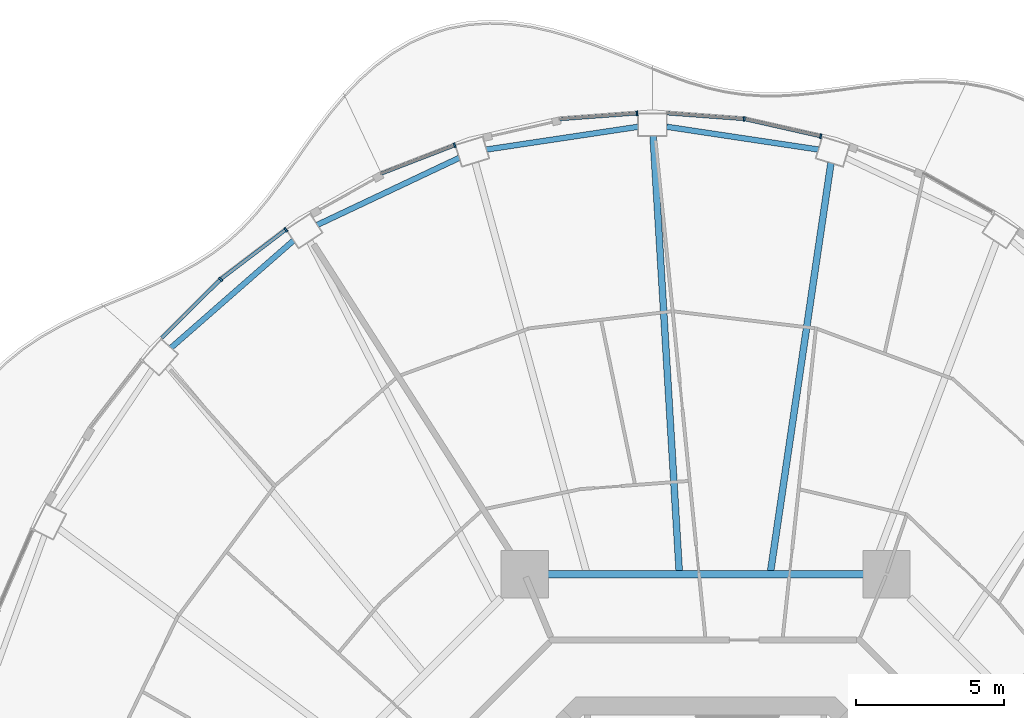
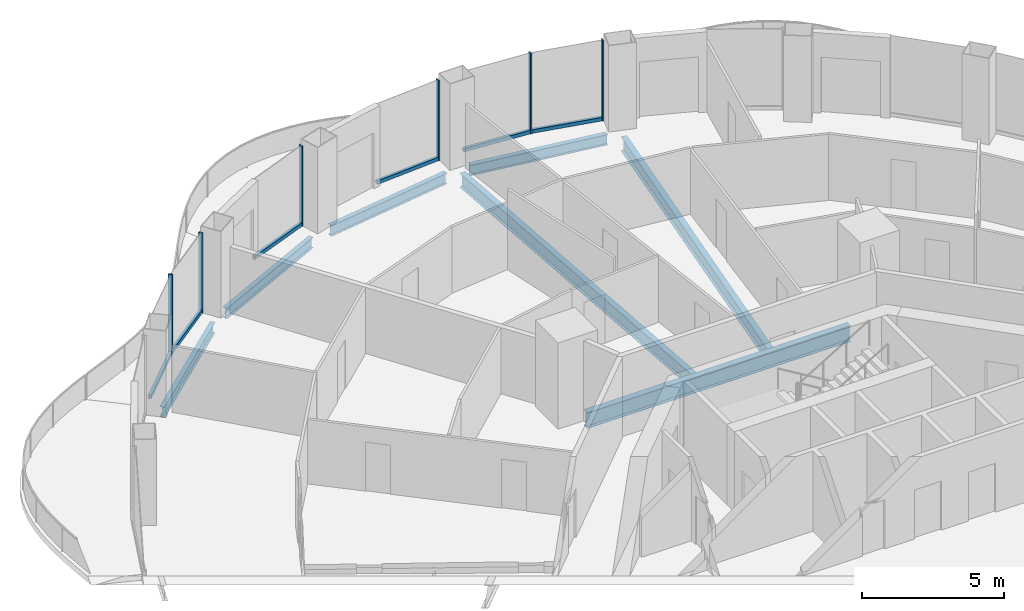
# One storey, part 6 of 18: 12 members, 7 beams, 6 elements without a shape of their own.
"""IFC4 building model written with IfcOpenShell, lengths in metres."""

from ifc_helpers import new_model, si_unit, direction, frame, origin, origin_2d, place, context, subcontext, project, spatial, rectangle, i_section, extrude, material, layer, layer_set, material_profile, profile_set, type_object, element, aggregate, save


model = new_model("IFC4")

# Units and contexts
model_context = context("Model", 3, precision=1e-05, world=origin(), true_north=direction((0.0, 1.0)))
body_context = subcontext(model_context, "Body", "Model", "MODEL_VIEW")
ifc_project = project(units=[si_unit("LENGTHUNIT", "METRE"), si_unit("AREAUNIT", "SQUARE_METRE"), si_unit("VOLUMEUNIT", "CUBIC_METRE"), si_unit("PLANEANGLEUNIT", "RADIAN"), si_unit("MASSUNIT", "GRAM", prefix="KILO")], contexts=[model_context])

# Site, building, storey
site_placement = place(None, origin())
site = spatial("IfcSite", under=ifc_project, at=site_placement, CompositionType="ELEMENT")
building_placement = place(site_placement, origin())
building = spatial("IfcBuilding", under=site, at=building_placement, Name="Nagisa Residences", CompositionType="ELEMENT")
storey_placement = place(building_placement, frame((0.0, 0.0, 227.0)))
storey = spatial("IfcBuildingStorey", under=building, at=storey_placement, Name="L57", CompositionType="ELEMENT", Elevation=227.0)

# Curtain wall, member
ifc_material_1 = material(Name="Concrete-coloured aluminium curtain wall system", Category="concrete")
ifc_layer = layer(ifc_material_1, 0.159912109375)
ifc_layer_set = layer_set([ifc_layer], Name="CW1 CURTAIN WALL")
curtain_wall_type = type_object("IfcCurtainWallType", Name="CW1 CURTAIN WALL", PredefinedType="NOTDEFINED", material=ifc_layer_set)
curtain_wall_1_placement = place(storey_placement, origin())
curtain_wall_1 = element("IfcCurtainWall", 1, at=curtain_wall_1_placement, inside=storey, type_object=curtain_wall_type, Name="cw:CW1:L57:10", PredefinedType="NOTDEFINED")
ifc_material_2 = material(Name="Concrete-coloured aluminium", Category="concrete")
ifc_material_profile_1 = material_profile(ifc_material_2, rectangle(XDim=0.159912109375, YDim=0.06005859375, at=origin_2d()), Name="CW1 MULLION 160x60")
ifc_profile_set_1 = profile_set([ifc_material_profile_1], Name="Concrete-coloured aluminium")
member_type_1 = type_object("IfcMemberType", Name="CW1 MULLION 160x60", PredefinedType="MULLION", material=ifc_profile_set_1)
member_1_placement = place(storey_placement, frame((3.895263671875, 29.61328125, 0.0), z_axis=(0.0, 0.0, 1.0), x_axis=(-0.2207639201, -0.975327274089, 0.0)))
member_1 = element("IfcMember", 2, at=member_1_placement, type_object=member_type_1, Name="CW1 mullion", PredefinedType="MULLION", context=body_context, shape_type="SweptSolid", body=[
    extrude(rectangle(XDim=0.159912109375, YDim=0.06005859375, at=origin_2d()), origin(), (0.0, 0.0, 1.0), 3.43994140625),
])

curtain_wall_2_placement = place(storey_placement, origin())
curtain_wall_2 = element("IfcCurtainWall", 3, at=curtain_wall_2_placement, inside=storey, type_object=curtain_wall_type, Name="cw:CW1:L57:11", PredefinedType="NOTDEFINED")
member_2_placement = place(storey_placement, frame((1.305908203125, 30.19580078125, 0.0), z_axis=(0.0, 0.0, 1.0), x_axis=(-0.074377355493, -0.997230168512, 0.0)))
member_2 = element("IfcMember", 4, at=member_2_placement, type_object=member_type_1, Name="CW1 mullion", PredefinedType="MULLION", context=body_context, shape_type="SweptSolid", body=[
    extrude(rectangle(XDim=0.159912109375, YDim=0.06005859375, at=origin_2d()), origin(), (0.0, 0.0, 1.0), 3.43994140625),
])

curtain_wall_3_placement = place(storey_placement, origin())
curtain_wall_3 = element("IfcCurtainWall", 5, at=curtain_wall_3_placement, inside=storey, type_object=curtain_wall_type, Name="cw:CW1:L57:12", PredefinedType="NOTDEFINED")
member_3_placement = place(storey_placement, frame((-2.322509765625, 30.388427734375, 0.0), z_axis=(0.0, 0.0, 1.0), x_axis=(0.074377355493, -0.997230168512, 0.0)))
member_3 = element("IfcMember", 6, at=member_3_placement, type_object=member_type_1, Name="CW1 mullion", PredefinedType="MULLION", context=body_context, shape_type="SweptSolid", body=[
    extrude(rectangle(XDim=0.159912109375, YDim=0.06005859375, at=origin_2d()), origin(), (0.0, 0.0, 1.0), 3.43994140625),
])

curtain_wall_4_placement = place(storey_placement, origin())
curtain_wall_4 = element("IfcCurtainWall", 7, at=curtain_wall_4_placement, inside=storey, type_object=curtain_wall_type, Name="cw:CW1:L57:14", PredefinedType="NOTDEFINED")
member_4_placement = place(storey_placement, frame((-8.495361328125, 29.308837890625, 0.0), z_axis=(0.0, 0.0, 1.0), x_axis=(0.360327770268, -0.932825759707, 0.0)))
member_4 = element("IfcMember", 8, at=member_4_placement, type_object=member_type_1, Name="CW1 mullion", PredefinedType="MULLION", context=body_context, shape_type="SweptSolid", body=[
    extrude(rectangle(XDim=0.159912109375, YDim=0.06005859375, at=origin_2d()), origin(), (0.0, 0.0, 1.0), 3.43994140625),
])

curtain_wall_5_placement = place(storey_placement, origin())
curtain_wall_5 = element("IfcCurtainWall", 9, at=curtain_wall_5_placement, inside=storey, type_object=curtain_wall_type, Name="cw:CW1:L57:16", PredefinedType="NOTDEFINED")
member_5_placement = place(storey_placement, frame((-14.20849609375, 26.45361328125, 0.0), z_axis=(0.0, 0.0, 1.0), x_axis=(0.605255421737, -0.79603132756, 0.0)))
member_5 = element("IfcMember", 10, at=member_5_placement, type_object=member_type_1, Name="CW1 mullion", PredefinedType="MULLION", context=body_context, shape_type="SweptSolid", body=[
    extrude(rectangle(XDim=0.159912109375, YDim=0.06005859375, at=origin_2d()), origin(), (0.0, 0.0, 1.0), 3.43994140625),
])

curtain_wall_6_placement = place(storey_placement, origin())
curtain_wall_6 = element("IfcCurtainWall", 11, at=curtain_wall_6_placement, inside=storey, type_object=curtain_wall_type, Name="cw:CW1:L57:17", PredefinedType="NOTDEFINED")
member_6_placement = place(storey_placement, frame((-16.417724609375, 24.769775390625, 0.0), z_axis=(0.0, 0.0, 1.0), x_axis=(0.706376885714, -0.707835924016, 0.0)))
member_6 = element("IfcMember", 12, at=member_6_placement, type_object=member_type_1, Name="CW1 mullion", PredefinedType="MULLION", context=body_context, shape_type="SweptSolid", body=[
    extrude(rectangle(XDim=0.159912109375, YDim=0.06005859375, at=origin_2d()), origin(), (0.0, 0.0, 1.0), 3.43994140625),
])

# Member
ifc_material_3 = material(Name="Concrete-coloured aluminium", Category="concrete")
ifc_material_profile_2 = material_profile(ifc_material_3, rectangle(XDim=0.1201171875, YDim=0.14990234375, at=origin_2d()), Name="CW1 TRANSOM 120x150")
ifc_profile_set_2 = profile_set([ifc_material_profile_2], Name="Concrete-coloured aluminium")
member_type_2 = type_object("IfcMemberType", Name="CW1 TRANSOM 120x150", PredefinedType="USERDEFINED", material=ifc_profile_set_2)
member_7_placement = place(storey_placement, frame((3.924560546875, 29.606689453125, 0.074951171875), z_axis=(-0.975324089124, 0.220777990694, 0.0), x_axis=(-0.220777990694, -0.975324089124, 0.0)))
member_7 = element("IfcMember", 13, at=member_7_placement, type_object=member_type_2, Name="CW1 transom", ObjectType="TRANSOM", PredefinedType="USERDEFINED", context=body_context, shape_type="SweptSolid", body=[
    extrude(rectangle(XDim=0.1201171875, YDim=0.14990234375, at=origin_2d()), origin(), (0.0, 0.0, 1.0), 2.666015625),
])

aggregate(curtain_wall_1, [member_1, member_7])

member_8_placement = place(storey_placement, frame((1.335693359375, 30.193603515625, 0.074951171875), z_axis=(-0.997233213085, 0.074336523458, 0.0), x_axis=(-0.074336523458, -0.997233213085, 0.0)))
member_8 = element("IfcMember", 14, at=member_8_placement, type_object=member_type_2, Name="CW1 transom", ObjectType="TRANSOM", PredefinedType="USERDEFINED", context=body_context, shape_type="SweptSolid", body=[
    extrude(rectangle(XDim=0.1201171875, YDim=0.14990234375, at=origin_2d()), origin(), (0.0, 0.0, 1.0), 2.650390625),
])

aggregate(curtain_wall_2, [member_2, member_8])

member_9_placement = place(storey_placement, frame((-2.292724609375, 30.390625, 0.074951171875), z_axis=(-0.997233213085, -0.074336523458, 0.0), x_axis=(0.074336523458, -0.997233213085, 0.0)))
member_9 = element("IfcMember", 15, at=member_9_placement, type_object=member_type_2, Name="CW1 transom", ObjectType="TRANSOM", PredefinedType="USERDEFINED", context=body_context, shape_type="SweptSolid", body=[
    extrude(rectangle(XDim=0.1201171875, YDim=0.14990234375, at=origin_2d()), origin(), (0.0, 0.0, 1.0), 2.650390625),
])

aggregate(curtain_wall_3, [member_3, member_9])

member_10_placement = place(storey_placement, frame((-8.46728515625, 29.319580078125, 0.074951171875), z_axis=(-0.932838255163, -0.360295420044, 0.0), x_axis=(0.360295420044, -0.932838255163, 0.0)))
member_10 = element("IfcMember", 16, at=member_10_placement, type_object=member_type_2, Name="CW1 transom", ObjectType="TRANSOM", PredefinedType="USERDEFINED", context=body_context, shape_type="SweptSolid", body=[
    extrude(rectangle(XDim=0.1201171875, YDim=0.14990234375, at=origin_2d()), origin(), (0.0, 0.0, 1.0), 2.6962890625),
])

aggregate(curtain_wall_4, [member_4, member_10])

member_11_placement = place(storey_placement, frame((-14.1845703125, 26.471923828125, 0.074951171875), z_axis=(-0.796022158395, -0.605267480825, 0.0), x_axis=(0.605267480825, -0.796022158395, 0.0)))
member_11 = element("IfcMember", 17, at=member_11_placement, type_object=member_type_2, Name="CW1 transom", ObjectType="TRANSOM", PredefinedType="USERDEFINED", context=body_context, shape_type="SweptSolid", body=[
    extrude(rectangle(XDim=0.1201171875, YDim=0.14990234375, at=origin_2d()), origin(), (0.0, 0.0, 1.0), 2.788818359375),
])

aggregate(curtain_wall_5, [member_5, member_11])

member_12_placement = place(storey_placement, frame((-16.396484375, 24.791015625, 0.074951171875), z_axis=(-0.707836044127, -0.706376765356, 0.0), x_axis=(0.706376765356, -0.707836044127, 0.0)))
member_12 = element("IfcMember", 18, at=member_12_placement, type_object=member_type_2, Name="CW1 transom", ObjectType="TRANSOM", PredefinedType="USERDEFINED", context=body_context, shape_type="SweptSolid", body=[
    extrude(rectangle(XDim=0.1201171875, YDim=0.14990234375, at=origin_2d()), origin(), (0.0, 0.0, 1.0), 2.84423828125),
])

aggregate(curtain_wall_6, [member_6, member_12])

# Beams
ifc_material_4 = material(Name="Steel ASTM A572 Gr 50", Category="steel")
ifc_material_profile_3 = material_profile(ifc_material_4, i_section(OverallWidth=0.2529296875, OverallDepth=0.677978515625, WebThickness=0.01171875, FlangeThickness=0.016357421875, at=origin_2d()), Name="W690x125")
ifc_profile_set_3 = profile_set([ifc_material_profile_3], Name="Steel ASTM A572 Gr 50")
beam_type_1 = type_object("IfcBeamType", Name="Inner ring beam W690x125", PredefinedType="BEAM", material=ifc_profile_set_3)
beam_1_placement = place(storey_placement, frame((5.343017578125, 14.781982421875, -0.59912109375), z_axis=(-1.0, 0.0, 0.0), x_axis=(0.0, -1.0, 0.0)))
element("IfcBeam", 19, at=beam_1_placement, inside=storey, type_object=beam_type_1, Name="beam:L57:ib2", PredefinedType="BEAM", context=body_context, shape_type="SweptSolid", body=[
    extrude(i_section(OverallWidth=0.2529296875, OverallDepth=0.677978515625, WebThickness=0.01171875, FlangeThickness=0.016357421875, at=origin_2d()), origin(), (0.0, 0.0, 1.0), 10.68603515625),
])
ifc_material_5 = material(Name="Steel ASTM A572 Gr 50", Category="steel")
ifc_material_profile_4 = material_profile(ifc_material_5, i_section(OverallWidth=0.18994140625, OverallDepth=0.45703125, WebThickness=0.009033203125, FlangeThickness=0.014404296875, at=origin_2d()), Name="W460x74")
ifc_profile_set_4 = profile_set([ifc_material_profile_4], Name="Steel ASTM A572 Gr 50")
beam_type_2 = type_object("IfcBeamType", Name="Perimeter ring beam W460x74", PredefinedType="BEAM", material=ifc_profile_set_4)
for number, where, z_axis, x_axis, name in (
    (20, (3.8203125, 29.16357421875, -0.488525390625), (-0.988909463745, 0.148519603133, 0.0), (-0.148519603133, -0.988909463745, 0.0), "beam:L57:pb06"),
    (21, (-2.2802734375, 29.935546875, -0.488525390625), (-0.988909463745, -0.148519603133, 0.0), (0.148519603133, -0.988909463745, 0.0), "beam:L57:pb07"),
):
    element("IfcBeam", number, at=place(storey_placement, frame(where, z_axis=z_axis, x_axis=x_axis)), inside=storey, type_object=beam_type_2, Name=name, PredefinedType="BEAM", context=body_context, shape_type="SweptSolid", body=[
        extrude(i_section(OverallWidth=0.18994140625, OverallDepth=0.45703125, WebThickness=0.009033203125, FlangeThickness=0.014404296875, at=origin_2d()), origin(), (0.0, 0.0, 1.0), 5.19775390625),
    ])
beam_2_placement = place(storey_placement, frame((-8.339111328125, 28.884033203125, -0.488525390625), z_axis=(-0.904133867308, -0.42724928319, 0.0), x_axis=(0.42724928319, -0.904133867308, 0.0)))
element("IfcBeam", 22, at=beam_2_placement, inside=storey, type_object=beam_type_2, Name="beam:L57:pb08", PredefinedType="BEAM", context=body_context, shape_type="SweptSolid", body=[
    extrude(i_section(OverallWidth=0.18994140625, OverallDepth=0.45703125, WebThickness=0.009033203125, FlangeThickness=0.014404296875, at=origin_2d()), origin(), (0.0, 0.0, 1.0), 5.317138671875),
])
beam_3_placement = place(storey_placement, frame((-13.94970703125, 26.085693359375, -0.488525390625), z_axis=(-0.75242320672, -0.65867998147, 0.0), x_axis=(0.65867998147, -0.75242320672, 0.0)))
element("IfcBeam", 23, at=beam_3_placement, inside=storey, type_object=beam_type_2, Name="beam:L57:pb09", PredefinedType="BEAM", context=body_context, shape_type="SweptSolid", body=[
    extrude(i_section(OverallWidth=0.18994140625, OverallDepth=0.45703125, WebThickness=0.009033203125, FlangeThickness=0.014404296875, at=origin_2d()), origin(), (0.0, 0.0, 1.0), 5.5185546875),
])
ifc_material_6 = material(Name="Steel ASTM A572 Gr 50", Category="steel")
ifc_material_profile_5 = material_profile(ifc_material_6, i_section(OverallWidth=0.22802734375, OverallDepth=0.60302734375, WebThickness=0.010498046875, FlangeThickness=0.014892578125, at=origin_2d()), Name="W610x101")
ifc_profile_set_5 = profile_set([ifc_material_profile_5], Name="Steel ASTM A572 Gr 50")
beam_type_3 = type_object("IfcBeamType", Name="Radial beam W610x101", PredefinedType="BEAM", material=ifc_profile_set_5)
beam_4_placement = place(storey_placement, frame((4.244140625, 28.711181640625, -0.5615234375), z_axis=(-0.146228868188, -0.989250786256, 0.0), x_axis=(0.989250786256, -0.146228868188, 0.0)))
element("IfcBeam", 24, at=beam_4_placement, inside=storey, type_object=beam_type_3, Name="beam:L57:rb06", PredefinedType="BEAM", context=body_context, shape_type="SweptSolid", body=[
    extrude(i_section(OverallWidth=0.22802734375, OverallDepth=0.60302734375, WebThickness=0.010498046875, FlangeThickness=0.014892578125, at=origin_2d()), origin(), (0.0, 0.0, 1.0), 13.97265625),
])
beam_5_placement = place(storey_placement, frame((-1.777099609375, 29.627685546875, -0.5615234375), z_axis=(0.059871531939, -0.998206090776, 0.0), x_axis=(0.998206090776, 0.059871531939, 0.0)))
element("IfcBeam", 25, at=beam_5_placement, inside=storey, type_object=beam_type_3, Name="beam:L57:rb07", PredefinedType="BEAM", context=body_context, shape_type="SweptSolid", body=[
    extrude(i_section(OverallWidth=0.22802734375, OverallDepth=0.60302734375, WebThickness=0.010498046875, FlangeThickness=0.014892578125, at=origin_2d()), origin(), (0.0, 0.0, 1.0), 14.765380859375),
])

save(model, "model.ifc")
